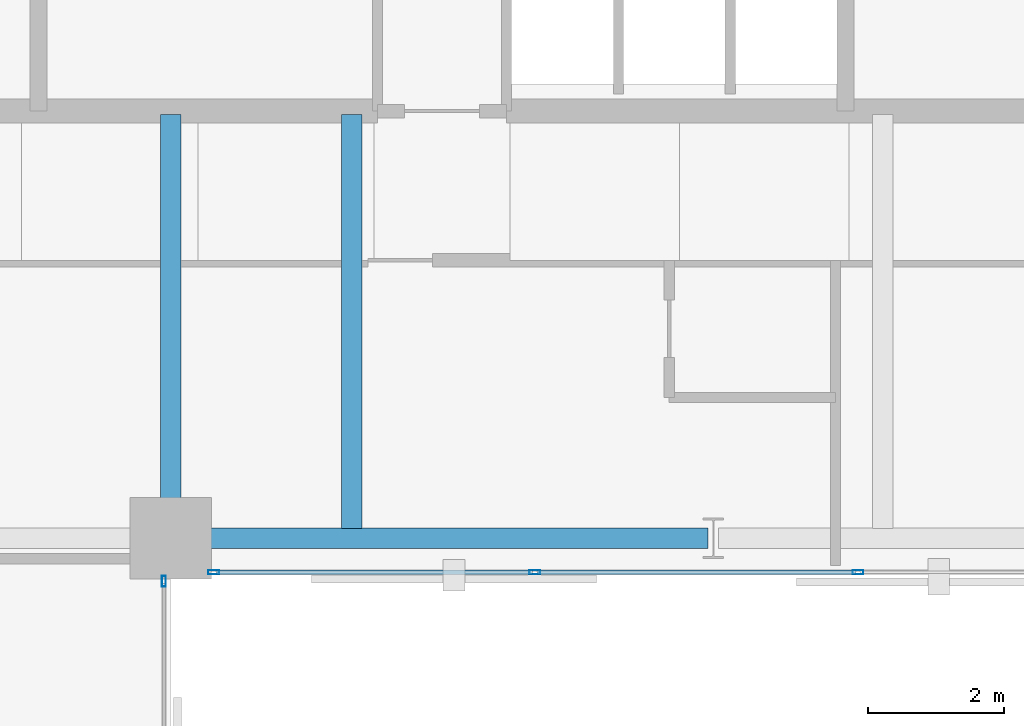
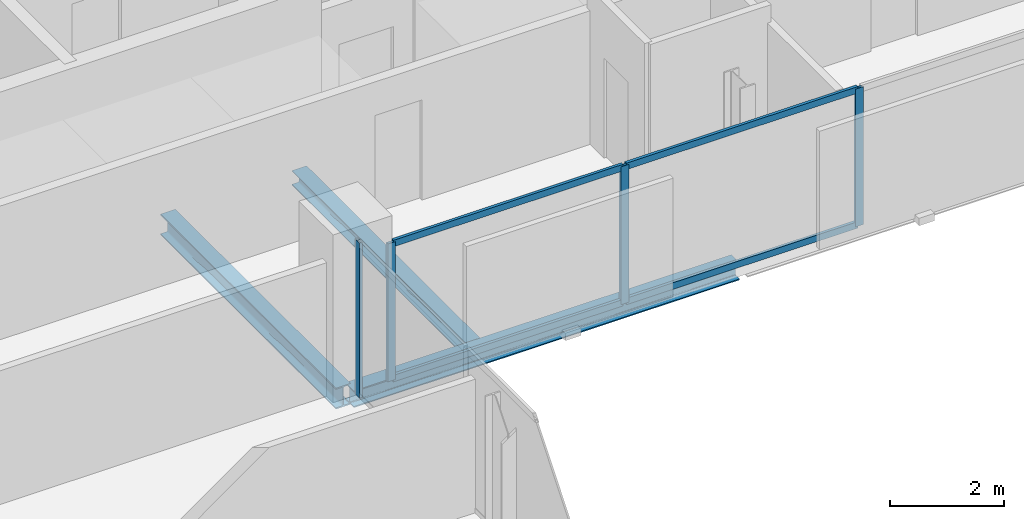
# One storey, part 13 of 32: 8 members, 3 beams, 2 elements without a shape of their own.
"""IFC4 building model written with IfcOpenShell, lengths in metres."""

from ifc_helpers import new_model, si_unit, direction, frame, origin, origin_2d, place, context, subcontext, project, spatial, hollow_rectangle, i_section, extrude, material, layer, layer_set, material_profile, profile_set, type_object, element, aggregate, save


model = new_model("IFC4")

# Units and contexts
model_context = context("Model", 3, precision=1e-05, world=origin(), true_north=direction((0.0, 1.0)))
body_context = subcontext(model_context, "Body", "Model", "MODEL_VIEW")
ifc_project = project(units=[si_unit("LENGTHUNIT", "METRE"), si_unit("AREAUNIT", "SQUARE_METRE"), si_unit("VOLUMEUNIT", "CUBIC_METRE"), si_unit("PLANEANGLEUNIT", "RADIAN"), si_unit("MASSUNIT", "GRAM", prefix="KILO")], contexts=[model_context])

# Site, building, storey
site_placement = place(None, origin())
site = spatial("IfcSite", under=ifc_project, at=site_placement, CompositionType="ELEMENT")
building_placement = place(site_placement, origin())
building = spatial("IfcBuilding", under=site, at=building_placement, Name="Catumbela Crestline Tower", CompositionType="ELEMENT")
storey_placement = place(building_placement, frame((0.0, 0.0, 122.4)))
storey = spatial("IfcBuildingStorey", under=building, at=storey_placement, Name="L31", CompositionType="ELEMENT", Elevation=122.4)

# Beams
ifc_material_1 = material(Name="Structural steel S355J2", Category="steel")
ifc_material_profile_1 = material_profile(ifc_material_1, i_section(OverallWidth=0.3, OverallDepth=0.45, WebThickness=0.014, FlangeThickness=0.026, FilletRadius=0.027, at=origin_2d()), Name="HEB 450")
ifc_profile_set_1 = profile_set([ifc_material_profile_1], Name="Structural steel S355J2")
beam_type_1 = type_object("IfcBeamType", Name="BG-HEB450", PredefinedType="BEAM", material=ifc_profile_set_1)
beam_1_placement = place(storey_placement, frame((24.0, 24.58, -0.485), z_axis=(0.0, 1.0, 0.0), x_axis=(-1.0, 0.0, 0.0)))
element("IfcBeam", 1, at=beam_1_placement, inside=storey, type_object=beam_type_1, Name="L31 Beam BM-L31-SNS29", PredefinedType="BEAM", context=body_context, shape_type="SweptSolid", body=[
    extrude(i_section(OverallWidth=0.3, OverallDepth=0.45, WebThickness=0.014, FlangeThickness=0.026, FilletRadius=0.027, at=origin_2d()), origin(), (0.0, 0.0, 1.0), 6.17),
])
ifc_material_profile_2 = material_profile(ifc_material_1, i_section(OverallWidth=0.3, OverallDepth=0.31, WebThickness=0.009, FlangeThickness=0.0155, FilletRadius=0.027, at=origin_2d()), Name="HEA 320")
ifc_profile_set_2 = profile_set([ifc_material_profile_2], Name="Structural steel S355J2")
beam_type_2 = type_object("IfcBeamType", Name="BJ-HEA320", PredefinedType="JOIST", material=ifc_profile_set_2)
beam_2_placement = place(storey_placement, frame((26.667, 24.647, -0.415), z_axis=(0.0, 1.0, 0.0), x_axis=(-1.0, 0.0, 0.0)))
element("IfcBeam", 2, at=beam_2_placement, inside=storey, type_object=beam_type_2, Name="L31 Joist JS-L31-SP39", PredefinedType="JOIST", context=body_context, shape_type="SweptSolid", body=[
    extrude(i_section(OverallWidth=0.3, OverallDepth=0.31, WebThickness=0.009, FlangeThickness=0.0155, FilletRadius=0.027, at=origin_2d()), origin(), (0.0, 0.0, 1.0), 6.103),
])

# Curtain wall, member
ifc_material_2 = material(Name="Aluminium alloy AW-6060-T66", Category="aluminium")
ifc_layer = layer(ifc_material_2, 0.18, Name="Aluminium alloy AW-6060-T66")
ifc_layer_set = layer_set([ifc_layer], Name="Aluminium alloy AW-6060-T66")
curtain_wall_type = type_object("IfcCurtainWallType", Name="CWU-Z2", PredefinedType="USERDEFINED", material=ifc_layer_set)
curtain_wall_1_placement = place(storey_placement, origin())
curtain_wall_1 = element("IfcCurtainWall", 3, at=curtain_wall_1_placement, inside=storey, type_object=curtain_wall_type, Name="L31 Unitised Curtain Wall CW-L31-E2S1", ObjectType="UNITISED", PredefinedType="USERDEFINED")
ifc_material_profile_3 = material_profile(ifc_material_2, hollow_rectangle(XDim=0.06, YDim=0.16, WallThickness=0.004, at=origin_2d()), Name="ALU 160x60x4")
ifc_profile_set_3 = profile_set([ifc_material_profile_3], Name="Aluminium alloy AW-6060-T66")
member_type_1 = type_object("IfcMemberType", Name="MUL-160X60", PredefinedType="MULLION", material=ifc_profile_set_3)
member_1_placement = place(storey_placement, frame((23.9, 23.8675, 0.0), z_axis=(0.0, 0.0, 1.0), x_axis=(-1.0, 0.0, 0.0)))
member_1 = element("IfcMember", 4, at=member_1_placement, type_object=member_type_1, Name="CWU-Z2 mullion 5", PredefinedType="MULLION", context=body_context, shape_type="SweptSolid", body=[
    extrude(hollow_rectangle(XDim=0.06, YDim=0.16, WallThickness=0.004, at=origin_2d()), origin(), (0.0, 0.0, 1.0), 3.33),
])
aggregate(curtain_wall_1, [member_1])

# Curtain wall, members
curtain_wall_2_placement = place(storey_placement, origin())
curtain_wall_2 = element("IfcCurtainWall", 5, at=curtain_wall_2_placement, inside=storey, type_object=curtain_wall_type, Name="L31 Unitised Curtain Wall CW-L31-E3S1", ObjectType="UNITISED", PredefinedType="USERDEFINED")
member_2_placement = place(storey_placement, frame((24.6325, 24.0, 0.0), z_axis=(0.0, 0.0, 1.0), x_axis=(0.0, 1.0, 0.0)))
member_2 = element("IfcMember", 6, at=member_2_placement, type_object=member_type_1, Name="CWU-Z2 mullion 1", PredefinedType="MULLION", context=body_context, shape_type="SweptSolid", body=[
    extrude(hollow_rectangle(XDim=0.06, YDim=0.16, WallThickness=0.004, at=origin_2d()), origin(), (0.0, 0.0, 1.0), 2.96),
])
member_3_placement = place(storey_placement, frame((29.3667, 24.0, 0.0), z_axis=(0.0, 0.0, 1.0), x_axis=(0.0, 1.0, 0.0)))
member_3 = element("IfcMember", 7, at=member_3_placement, type_object=member_type_1, Name="CWU-Z2 mullion 2", PredefinedType="MULLION", context=body_context, shape_type="SweptSolid", body=[
    extrude(hollow_rectangle(XDim=0.06, YDim=0.16, WallThickness=0.004, at=origin_2d()), origin(), (0.0, 0.0, 1.0), 2.96),
])
member_4_placement = place(storey_placement, frame((34.1333, 24.0, 0.0), z_axis=(0.0, 0.0, 1.0), x_axis=(0.0, 1.0, 0.0)))
member_4 = element("IfcMember", 8, at=member_4_placement, type_object=member_type_1, Name="CWU-Z2 mullion 3", PredefinedType="MULLION", context=body_context, shape_type="SweptSolid", body=[
    extrude(hollow_rectangle(XDim=0.06, YDim=0.16, WallThickness=0.004, at=origin_2d()), origin(), (0.0, 0.0, 1.0), 2.96),
])

# Beam
ifc_material_profile_4 = material_profile(ifc_material_1, i_section(OverallWidth=0.3, OverallDepth=0.36, WebThickness=0.0125, FlangeThickness=0.0225, FilletRadius=0.027, at=origin_2d()), Name="HEB 360")
ifc_profile_set_4 = profile_set([ifc_material_profile_4], Name="Structural steel S355J2")
beam_type_3 = type_object("IfcBeamType", Name="BS-HEB360", PredefinedType="SPANDREL", material=ifc_profile_set_4)
beam_3_placement = place(storey_placement, frame((24.08, 24.5, -0.44), z_axis=(1.0, 0.0, 0.0), x_axis=(0.0, 1.0, 0.0)))
element("IfcBeam", 9, at=beam_3_placement, inside=storey, type_object=beam_type_3, Name="L31 Spandrel SP-L31-S05", PredefinedType="SPANDREL", context=body_context, shape_type="SweptSolid", body=[
    extrude(i_section(OverallWidth=0.3, OverallDepth=0.36, WebThickness=0.0125, FlangeThickness=0.0225, FilletRadius=0.027, at=origin_2d()), origin(), (0.0, 0.0, 1.0), 7.84),
])

# Member
ifc_material_profile_5 = material_profile(ifc_material_2, hollow_rectangle(XDim=0.06, YDim=0.14, WallThickness=0.004, at=origin_2d()), Name="ALU 140x60x4")
ifc_profile_set_5 = profile_set([ifc_material_profile_5], Name="Aluminium alloy AW-6060-T66")
member_type_2 = type_object("IfcMemberType", Name="TRN-140X60", PredefinedType="USERDEFINED", material=ifc_profile_set_5)
member_5_placement = place(storey_placement, frame((24.665, 24.0, 0.03), z_axis=(1.0, 0.0, 0.0), x_axis=(0.0, 1.0, 0.0)))
member_5 = element("IfcMember", 10, at=member_5_placement, type_object=member_type_2, Name="CWU-Z2 transom 1.1", ObjectType="TRANSOM", PredefinedType="USERDEFINED", context=body_context, shape_type="SweptSolid", body=[
    extrude(hollow_rectangle(XDim=0.06, YDim=0.14, WallThickness=0.004, at=origin_2d()), origin(), (0.0, 0.0, 1.0), 4.6692),
])

member_6_placement = place(storey_placement, frame((24.665, 24.0, 2.93), z_axis=(1.0, 0.0, 0.0), x_axis=(0.0, 1.0, 0.0)))
member_6 = element("IfcMember", 11, at=member_6_placement, type_object=member_type_2, Name="CWU-Z2 transom 1.2", ObjectType="TRANSOM", PredefinedType="USERDEFINED", context=body_context, shape_type="SweptSolid", body=[
    extrude(hollow_rectangle(XDim=0.06, YDim=0.14, WallThickness=0.004, at=origin_2d()), origin(), (0.0, 0.0, 1.0), 4.6692),
])

member_7_placement = place(storey_placement, frame((29.3992, 24.0, 0.03), z_axis=(1.0, 0.0, 0.0), x_axis=(0.0, 1.0, 0.0)))
member_7 = element("IfcMember", 12, at=member_7_placement, type_object=member_type_2, Name="CWU-Z2 transom 2.1", ObjectType="TRANSOM", PredefinedType="USERDEFINED", context=body_context, shape_type="SweptSolid", body=[
    extrude(hollow_rectangle(XDim=0.06, YDim=0.14, WallThickness=0.004, at=origin_2d()), origin(), (0.0, 0.0, 1.0), 4.7016),
])

member_8_placement = place(storey_placement, frame((29.3992, 24.0, 2.93), z_axis=(1.0, 0.0, 0.0), x_axis=(0.0, 1.0, 0.0)))
member_8 = element("IfcMember", 13, at=member_8_placement, type_object=member_type_2, Name="CWU-Z2 transom 2.2", ObjectType="TRANSOM", PredefinedType="USERDEFINED", context=body_context, shape_type="SweptSolid", body=[
    extrude(hollow_rectangle(XDim=0.06, YDim=0.14, WallThickness=0.004, at=origin_2d()), origin(), (0.0, 0.0, 1.0), 4.7016),
])

aggregate(curtain_wall_2, [member_2, member_3, member_4, member_5, member_6, member_7, member_8])

save(model, "model.ifc")
